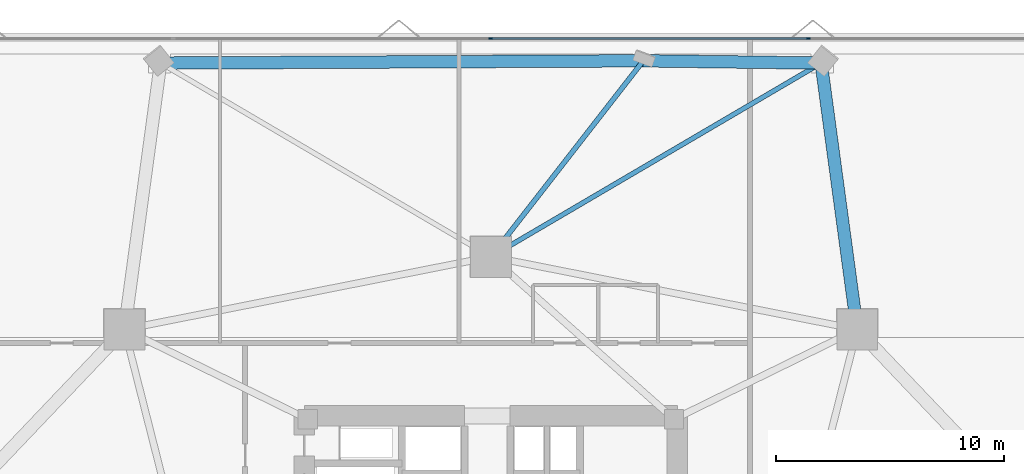
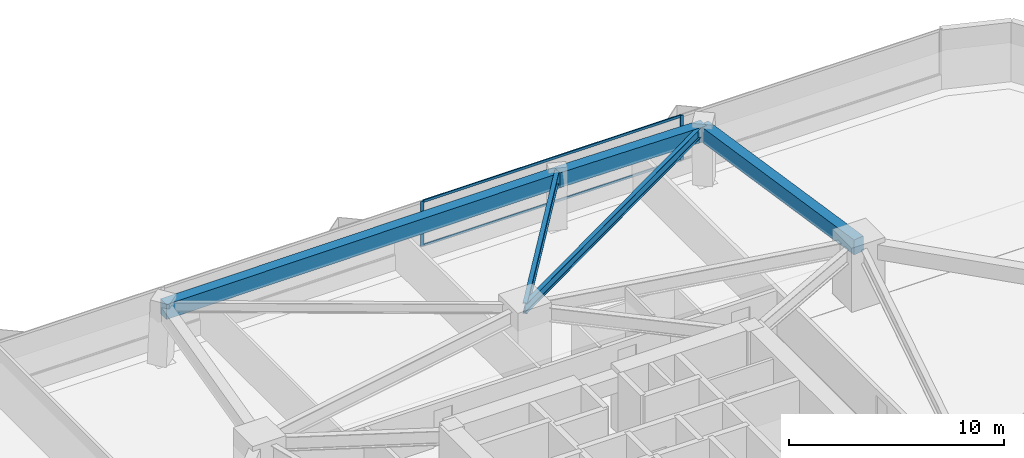
# One storey, part 13 of 21: 5 beams, 4 members, 1 element without a shape of its own.
"""IFC4 building model written with IfcOpenShell, lengths in metres."""

from ifc_helpers import new_model, si_unit, direction, frame, origin, origin_2d, place, context, subcontext, project, spatial, rectangle, i_section, extrude, material, layer, layer_set, material_profile, profile_set, type_object, element, aggregate, save


model = new_model("IFC4")

# Units and contexts
model_context = context("Model", 3, precision=1e-05, world=origin(), true_north=direction((0.0, 1.0)))
body_context = subcontext(model_context, "Body", "Model", "MODEL_VIEW")
ifc_project = project(units=[si_unit("LENGTHUNIT", "METRE"), si_unit("AREAUNIT", "SQUARE_METRE"), si_unit("VOLUMEUNIT", "CUBIC_METRE"), si_unit("PLANEANGLEUNIT", "RADIAN"), si_unit("MASSUNIT", "GRAM", prefix="KILO")], contexts=[model_context])

# Site, building, storey
site_placement = place(None, origin())
site = spatial("IfcSite", under=ifc_project, at=site_placement, CompositionType="ELEMENT")
building_placement = place(site_placement, origin())
building = spatial("IfcBuilding", under=site, at=building_placement, Name="Talyreon Biosciences Tower", CompositionType="ELEMENT")
storey_placement = place(building_placement, frame((0.0, 0.0, 55.64990234375)))
storey = spatial("IfcBuildingStorey", under=building, at=storey_placement, Name="L14", CompositionType="ELEMENT", Elevation=55.64990234375)

# Curtain wall, members
ifc_material_1 = material(Name="Thermally broken aluminium and low-E glazing", Category="aluminium")
ifc_layer = layer(ifc_material_1, 0.195068359375)
ifc_layer_set = layer_set([ifc_layer], Name="Thermally broken aluminium and low-E glazing")
curtain_wall_type = type_object("IfcCurtainWallType", Name="CurtainWall_Zone1WetLab", PredefinedType="NOTDEFINED", material=ifc_layer_set)
curtain_wall_placement = place(storey_placement, origin())
curtain_wall = element("IfcCurtainWall", 1, at=curtain_wall_placement, inside=storey, type_object=curtain_wall_type, Name="L14 Unitised Curtain Wall FCW-L14-04", PredefinedType="NOTDEFINED")
ifc_material_2 = material(Name="Anodised thermally broken aluminium", Category="aluminium")
ifc_material_profile_1 = material_profile(ifc_material_2, rectangle(XDim=0.06494140625, YDim=0.179931640625, at=origin_2d()), Name="ALUM MULLION 65x180")
ifc_profile_set_1 = profile_set([ifc_material_profile_1], Name="Anodised thermally broken aluminium")
member_type_1 = type_object("IfcMemberType", Name="CWMullion_65x180", PredefinedType="MULLION", material=ifc_profile_set_1)
member_1_placement = place(storey_placement, frame((66.0, 91.373779296875, 0.81005859375), z_axis=(0.0, 0.0, 1.0), x_axis=(0.0, 1.0, 0.0)))
member_1 = element("IfcMember", 2, at=member_1_placement, type_object=member_type_1, Name="CW2 mullion 3", PredefinedType="MULLION", context=body_context, shape_type="SweptSolid", body=[
    extrude(rectangle(XDim=0.06494140625, YDim=0.179931640625, at=origin_2d()), origin(), (0.0, 0.0, 1.0), 2.56494140625),
])
member_2_placement = place(storey_placement, frame((79.957763671875, 91.373779296875, 0.81005859375), z_axis=(0.0, 0.0, 1.0), x_axis=(0.0, 1.0, 0.0)))
member_2 = element("IfcMember", 3, at=member_2_placement, type_object=member_type_1, Name="CW2 mullion 4", PredefinedType="MULLION", context=body_context, shape_type="SweptSolid", body=[
    extrude(rectangle(XDim=0.06494140625, YDim=0.179931640625, at=origin_2d()), origin(), (0.0, 0.0, 1.0), 2.56494140625),
])
ifc_material_profile_2 = material_profile(ifc_material_2, rectangle(XDim=0.06494140625, YDim=0.139892578125, at=origin_2d()), Name="ALUM TRANSOM 65x140")
ifc_profile_set_2 = profile_set([ifc_material_profile_2], Name="Anodised thermally broken aluminium")
member_type_2 = type_object("IfcMemberType", Name="CWTransom_65x140", PredefinedType="USERDEFINED", material=ifc_profile_set_2)
member_3_placement = place(storey_placement, frame((66.032470703125, 91.373779296875, 0.842529296875), z_axis=(1.0, 0.0, 0.0), x_axis=(0.0, 1.0, 0.0)))
member_3 = element("IfcMember", 4, at=member_3_placement, type_object=member_type_2, Name="CW2 transom 3.1", ObjectType="TRANSOM", PredefinedType="USERDEFINED", context=body_context, shape_type="SweptSolid", body=[
    extrude(rectangle(XDim=0.06494140625, YDim=0.139892578125, at=origin_2d()), origin(), (0.0, 0.0, 1.0), 13.892822265625),
])
member_4_placement = place(storey_placement, frame((66.032470703125, 91.373779296875, 3.342529296875), z_axis=(1.0, 0.0, 0.0), x_axis=(0.0, 1.0, 0.0)))
member_4 = element("IfcMember", 5, at=member_4_placement, type_object=member_type_2, Name="CW2 transom 3.2", ObjectType="TRANSOM", PredefinedType="USERDEFINED", context=body_context, shape_type="SweptSolid", body=[
    extrude(rectangle(XDim=0.06494140625, YDim=0.139892578125, at=origin_2d()), origin(), (0.0, 0.0, 1.0), 13.892822265625),
])
aggregate(curtain_wall, [member_1, member_2, member_3, member_4])

# Beams
ifc_material_3 = material(Name="Precast concrete C45/55", Category="concrete")
ifc_material_profile_3 = material_profile(ifc_material_3, rectangle(XDim=0.550048828125, YDim=0.85009765625, at=origin_2d()), Name="RCB 550x850")
ifc_profile_set_3 = profile_set([ifc_material_profile_3], Name="Precast concrete C45/55")
beam_type_1 = type_object("IfcBeamType", Name="ExpressedSpandrel_550x850", PredefinedType="SPANDREL", material=ifc_profile_set_3)
beam_1_placement = place(storey_placement, frame((82.102294921875, 78.5986328125, 2.9501953125), z_axis=(-0.134282147759, 0.990943139031, 0.0), x_axis=(-0.990943139031, -0.134282147759, 0.0)))
element("IfcBeam", 6, at=beam_1_placement, inside=storey, type_object=beam_type_1, Name="L14 Expressed Horizontal Concrete Spandrel 05", PredefinedType="SPANDREL", context=body_context, shape_type="SweptSolid", body=[
    extrude(rectangle(XDim=0.550048828125, YDim=0.85009765625, at=origin_2d()), origin(), (0.0, 0.0, 1.0), 11.812255859375),
])
beam_2_placement = place(storey_placement, frame((80.51611328125, 90.303955078125, 2.9501953125), z_axis=(-0.999918411429, 0.012773820286, 0.0), x_axis=(-0.012773820286, -0.999918411429, 0.0)))
element("IfcBeam", 7, at=beam_2_placement, inside=storey, type_object=beam_type_1, Name="L14 Expressed Horizontal Concrete Spandrel 06", PredefinedType="SPANDREL", context=body_context, shape_type="SweptSolid", body=[
    extrude(rectangle(XDim=0.550048828125, YDim=0.85009765625, at=origin_2d()), origin(), (0.0, 0.0, 1.0), 7.817138671875),
])
beam_3_placement = place(storey_placement, frame((72.69970703125, 90.40380859375, 2.9501953125), z_axis=(-0.999988924334, -0.004706507135, 0.0), x_axis=(0.004706507135, -0.999988924334, 0.0)))
element("IfcBeam", 8, at=beam_3_placement, inside=storey, type_object=beam_type_1, Name="L14 Expressed Horizontal Concrete Spandrel 07", PredefinedType="SPANDREL", context=body_context, shape_type="SweptSolid", body=[
    extrude(rectangle(XDim=0.550048828125, YDim=0.85009765625, at=origin_2d()), origin(), (0.0, 0.0, 1.0), 21.216064453125),
])
ifc_material_4 = material(Name="Steel SM355", Category="steel")
ifc_material_profile_4 = material_profile(ifc_material_4, i_section(OverallWidth=0.2099609375, OverallDepth=0.550048828125, WebThickness=0.010986328125, FlangeThickness=0.01708984375, FilletRadius=0.02392578125, at=origin_2d()), Name="IPE550")
ifc_profile_set_4 = profile_set([ifc_material_profile_4], Name="Steel SM355")
beam_type_2 = type_object("IfcBeamType", Name="SteelJoist_IPE550", PredefinedType="JOIST", material=ifc_profile_set_4)
beam_4_placement = place(storey_placement, frame((66.0, 81.788818359375, 3.10009765625), z_axis=(0.862550399645, 0.505971153399, 0.0), x_axis=(-0.505971153399, 0.862550399645, 0.0)))
element("IfcBeam", 9, at=beam_4_placement, inside=storey, type_object=beam_type_2, Name="L14 Radial Composite Floor Joist PC-N1", PredefinedType="JOIST", context=body_context, shape_type="SweptSolid", body=[
    extrude(i_section(OverallWidth=0.2099609375, OverallDepth=0.550048828125, WebThickness=0.010986328125, FlangeThickness=0.01708984375, FilletRadius=0.02392578125, at=origin_2d()), origin(), (0.0, 0.0, 1.0), 16.829345703125),
])
ifc_material_profile_5 = material_profile(ifc_material_4, i_section(OverallWidth=0.219970703125, OverallDepth=0.60009765625, WebThickness=0.011962890625, FlangeThickness=0.01904296875, FilletRadius=0.02392578125, at=origin_2d()), Name="IPE600")
ifc_profile_set_5 = profile_set([ifc_material_profile_5], Name="Steel SM355")
beam_type_3 = type_object("IfcBeamType", Name="SteelJoist_IPE600", PredefinedType="JOIST", material=ifc_profile_set_5)
beam_5_placement = place(storey_placement, frame((66.0, 81.788818359375, 3.0751953125), z_axis=(0.61389260174, 0.789389557525, 0.0), x_axis=(-0.789389557525, 0.61389260174, 0.0)))
element("IfcBeam", 10, at=beam_5_placement, inside=storey, type_object=beam_type_3, Name="L14 Radial Composite Floor Joist PL-N", PredefinedType="JOIST", context=body_context, shape_type="SweptSolid", body=[
    extrude(i_section(OverallWidth=0.219970703125, OverallDepth=0.60009765625, WebThickness=0.011962890625, FlangeThickness=0.01904296875, FilletRadius=0.02392578125, at=origin_2d()), origin(), (0.0, 0.0, 1.0), 10.91357421875),
])

save(model, "model.ifc")
